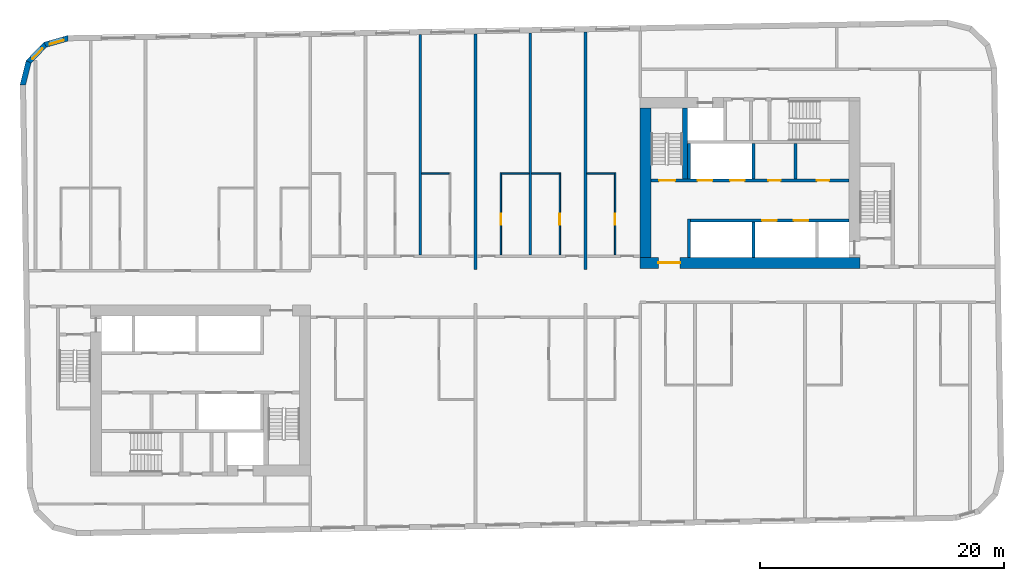
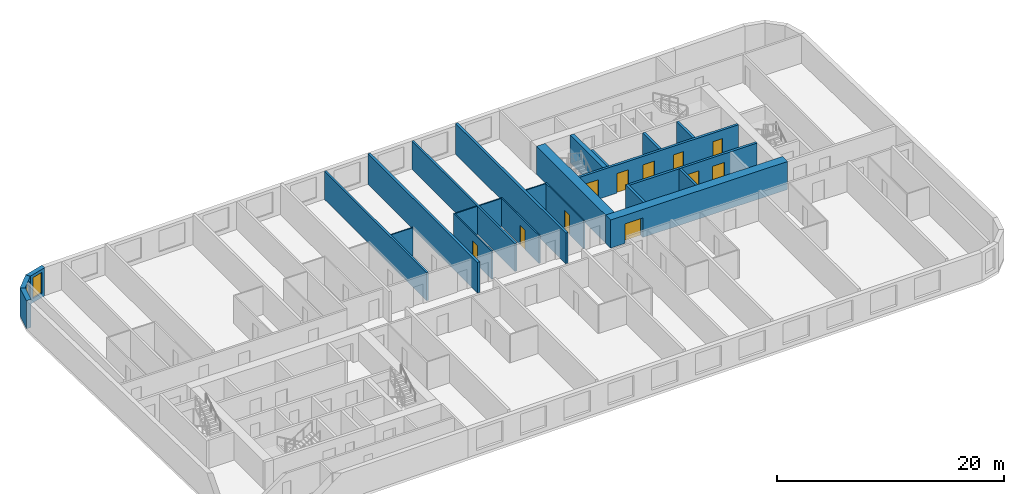
# One storey, part 5 of 11: 24 walls, 11 doors, 2 windows, 13 openings.
"""IFC4 building model written with IfcOpenShell, lengths in metres."""

from ifc_helpers import new_model, si_unit, direction, frame, frame_2d, origin, place, context, subcontext, project, spatial, polyline, rectangle, outline, extrude, material, layer, layer_set, type_object, element, fill, save


model = new_model("IFC4")

# Units and contexts
model_context = context("Model", 3, precision=1e-05, world=origin(), true_north=direction((0.0, 1.0)))
body_context = subcontext(model_context, "Body", "Model", "MODEL_VIEW")
ifc_project = project(units=[si_unit("LENGTHUNIT", "METRE"), si_unit("AREAUNIT", "SQUARE_METRE"), si_unit("VOLUMEUNIT", "CUBIC_METRE"), si_unit("PLANEANGLEUNIT", "RADIAN"), si_unit("MASSUNIT", "GRAM", prefix="KILO")], contexts=[model_context])

# Site, building, storey
site_placement = place(None, origin())
site = spatial("IfcSite", under=ifc_project, at=site_placement, CompositionType="ELEMENT")
building_placement = place(site_placement, origin())
building = spatial("IfcBuilding", under=site, at=building_placement, Name="Kajstack Hotel Tower", CompositionType="ELEMENT")
storey_placement = place(building_placement, frame((0.0, 0.0, 224.300048828125)))
storey = spatial("IfcBuildingStorey", under=building, at=storey_placement, Name="L54", CompositionType="ELEMENT", Elevation=224.300048828125)

# Wall, opening, door
ifc_material_1 = material(Name="Concrete C60/75", Category="concrete")
ifc_layer_1 = layer(ifc_material_1, 0.89990234375)
ifc_layer_set_1 = layer_set([ifc_layer_1], Name="Core wall 900")
wall_type_1 = type_object("IfcWallType", Name="Core wall 900", PredefinedType="SHEAR", material=ifc_layer_set_1)
wall_1_placement = place(storey_placement, frame((13.5, 1.949951171875, 0.0), z_axis=(0.0, 0.0, 1.0), x_axis=(1.0, 0.0, 0.0)))
wall_1 = element("IfcWall", 1, at=wall_1_placement, inside=storey, type_object=wall_type_1, Name="Core wall E RN", PredefinedType="SHEAR", context=body_context, shape_type="SweptSolid", body=[
    extrude(rectangle(XDim=18.0, YDim=0.89990234375, at=frame_2d((9.0, 0.0))), origin(), (0.0, 0.0, 1.0), 3.02001953125),
])
opening_1_placement = place(wall_1_placement, frame((1.47509765625, 0.0, 0.0)))
opening_1 = element("IfcOpeningElement", 2, at=opening_1_placement, cuts=wall_1, Name="Opening 54E07", PredefinedType="OPENING", context=body_context, shape_type="SweptSolid", body=[
    extrude(rectangle(XDim=1.800048828125, YDim=2.10009765625, at=frame_2d((0.89990234375, 1.050048828125))), frame((0.0, 0.4599609375, 0.0), z_axis=(0.0, -1.0, 0.0), x_axis=(1.0, 0.0, 0.0)), (0.0, 0.0, 1.0), 0.919921875),
])
ifc_material_2 = material(Name="Glazed steel frame, fire-rated glass", Category="steel")
door_type_1 = type_object("IfcDoorType", Name="Lobby double door 1800", OperationType="DOUBLE_DOOR_DOUBLE_SWING", PredefinedType="DOOR", material=ifc_material_2)
door_1_placement = place(opening_1_placement, origin())
door_1 = element("IfcDoor", 3, at=door_1_placement, inside=storey, type_object=door_type_1, Name="Door 54E07", OperationType="DOUBLE_DOOR_DOUBLE_SWING", OverallHeight=2.10009765625, OverallWidth=1.800048828125, PredefinedType="DOOR", context=body_context, shape_type="SweptSolid", body=[
    extrude(rectangle(XDim=1.800048828125, YDim=2.10009765625, at=frame_2d((0.89990234375, 1.050048828125))), frame((0.0, 0.02490234375, 0.0), z_axis=(0.0, -1.0, 0.0), x_axis=(1.0, 0.0, 0.0)), (0.0, 0.0, 1.0), 0.050048828125),
])
fill(opening_1, door_1)

# Walls
wall_2_placement = place(storey_placement, frame((13.949951171875, 2.39990234375, 0.0), z_axis=(0.0, 0.0, 1.0), x_axis=(0.0, 1.0, 0.0)))
element("IfcWall", 4, at=wall_2_placement, inside=storey, type_object=wall_type_1, Name="Core wall E RE", PredefinedType="SHEAR", context=body_context, shape_type="SweptSolid", body=[
    extrude(rectangle(XDim=12.2001953125, YDim=0.89990234375, at=frame_2d((6.10009765625, 0.0))), origin(), (0.0, 0.0, 1.0), 3.02001953125),
])
ifc_material_3 = material(Name="Twin-frame gypsum board on steel studs, mineral wool", Category="steel")
ifc_layer_2 = layer(ifc_material_3, 0.199951171875)
ifc_layer_set_2 = layer_set([ifc_layer_2], Name="Demising wall 200")
wall_type_2 = type_object("IfcWallType", Name="Demising wall 200", PredefinedType="PARTITIONING", material=ifc_layer_set_2)
wall_3_placement = place(storey_placement, frame((-4.5, 2.60009765625, 0.0), z_axis=(0.0, 0.0, 1.0), x_axis=(0.0, 1.0, 0.0)))
element("IfcWall", 5, at=wall_3_placement, inside=storey, type_object=wall_type_2, Name="G-wall-L54-017", PredefinedType="PARTITIONING", context=body_context, shape_type="SweptSolid", body=[
    extrude(rectangle(XDim=18.02197265625, YDim=0.199951171875, at=frame_2d((9.010986328125, 0.0))), origin(), (0.0, 0.0, 1.0), 3.02001953125),
])
wall_4_placement = place(storey_placement, frame((4.5, 2.60009765625, 0.0), z_axis=(0.0, 0.0, 1.0), x_axis=(0.0, 1.0, 0.0)))
element("IfcWall", 6, at=wall_4_placement, inside=storey, type_object=wall_type_2, Name="G-wall-L54-022", PredefinedType="PARTITIONING", context=body_context, shape_type="SweptSolid", body=[
    extrude(rectangle(XDim=18.178955078125, YDim=0.199951171875, at=frame_2d((9.08935546875, 0.0))), origin(), (0.0, 0.0, 1.0), 3.02001953125),
])

# Wall, opening, window
ifc_material_4 = material(Name="Terracotta-faced brick masonry", Category="masonry")
ifc_layer_3 = layer(ifc_material_4, 0.449951171875)
ifc_layer_set_3 = layer_set([ifc_layer_3], Name="EW-TERRA")
wall_type_3 = type_object("IfcWallType", Name="EW-TERRA", PredefinedType="SOLIDWALL", material=ifc_layer_set_3)
wall_5_placement = place(storey_placement, frame((-33.290283203125, 20.352294921875, 0.0), z_axis=(0.0, 0.0, 1.0), x_axis=(-0.961247584925, -0.275686562016, 0.0)))
wall_5 = element("IfcWall", 7, at=wall_5_placement, inside=storey, type_object=wall_type_3, Name="E-wall-L54-13-00", PredefinedType="SOLIDWALL", context=body_context, shape_type="SweptSolid", body=[
    extrude(outline(polyline([(0.0, -0.22509765625), (2.070556640625, -0.22509765625), (1.949951171875, 0.224853515625), (0.12060546875, 0.224853515625), (0.0, -0.22509765625)])), origin(), (0.0, 0.0, 1.0), 3.02001953125),
])
opening_2_placement = place(wall_5_placement, frame((0.435302734375, 0.0, 0.449951171875)))
opening_2 = element("IfcOpeningElement", 8, at=opening_2_placement, cuts=wall_5, Name="Opening W3", PredefinedType="OPENING", context=body_context, shape_type="SweptSolid", body=[
    extrude(rectangle(XDim=1.199951171875, YDim=2.25, at=frame_2d((0.60009765625, 1.125))), frame((0.0, 0.23486328125, 0.0), z_axis=(0.0, -1.0, 0.0), x_axis=(1.0, 0.0, 0.0)), (0.0, 0.0, 1.0), 0.469970703125),
])
ifc_material_5 = material(Name="Timber-aluminium window, triple glazed", Category="wood")
window_type = type_object("IfcWindowType", Name="WG3", PartitioningType="SINGLE_PANEL", PredefinedType="WINDOW", material=ifc_material_5)
window_1_placement = place(opening_2_placement, origin())
window_1 = element("IfcWindow", 9, at=window_1_placement, inside=storey, type_object=window_type, Name="Window W3 L54-13", OverallHeight=2.25, OverallWidth=1.199951171875, PartitioningType="SINGLE_PANEL", PredefinedType="WINDOW", context=body_context, shape_type="SweptSolid", body=[
    extrude(rectangle(XDim=1.199951171875, YDim=2.25, at=frame_2d((0.60009765625, 1.125))), frame((0.0, 0.090087890625, 0.0), z_axis=(0.0, -1.0, 0.0), x_axis=(1.0, 0.0, 0.0)), (0.0, 0.0, 1.0), 0.06005859375),
])
fill(opening_2, window_1)

wall_6_placement = place(storey_placement, frame((-35.1806640625, 19.841552734375, 0.0), z_axis=(0.0, 0.0, 1.0), x_axis=(-0.694678672846, -0.719320193998, 0.0)))
wall_6 = element("IfcWall", 10, at=wall_6_placement, inside=storey, type_object=wall_type_3, Name="E-wall-L54-14-00", PredefinedType="SOLIDWALL", context=body_context, shape_type="SweptSolid", body=[
    extrude(outline(polyline([(0.0, -0.22509765625), (2.07080078125, -0.22509765625), (1.9501953125, 0.224853515625), (0.12060546875, 0.224853515625), (0.0, -0.22509765625)])), origin(), (0.0, 0.0, 1.0), 3.02001953125),
])
opening_3_placement = place(wall_6_placement, frame((0.435302734375, 0.0, 0.449951171875)))
opening_3 = element("IfcOpeningElement", 11, at=opening_3_placement, cuts=wall_6, Name="Opening W3", PredefinedType="OPENING", context=body_context, shape_type="SweptSolid", body=[
    extrude(rectangle(XDim=1.199951171875, YDim=2.25, at=frame_2d((0.60009765625, 1.125))), frame((0.0, 0.23486328125, 0.0), z_axis=(0.0, -1.0, 0.0), x_axis=(1.0, 0.0, 0.0)), (0.0, 0.0, 1.0), 0.469970703125),
])
window_2_placement = place(opening_3_placement, origin())
window_2 = element("IfcWindow", 12, at=window_2_placement, inside=storey, type_object=window_type, Name="Window W3 L54-14", OverallHeight=2.25, OverallWidth=1.199951171875, PartitioningType="SINGLE_PANEL", PredefinedType="WINDOW", context=body_context, shape_type="SweptSolid", body=[
    extrude(rectangle(XDim=1.199951171875, YDim=2.25, at=frame_2d((0.60009765625, 1.125))), frame((0.0, 0.090087890625, 0.0), z_axis=(0.0, -1.0, 0.0), x_axis=(1.0, 0.0, 0.0)), (0.0, 0.0, 1.0), 0.06005859375),
])
fill(opening_3, window_2)

# Walls
wall_7_placement = place(storey_placement, frame((-36.562744140625, 18.453857421875, 0.0), z_axis=(0.0, 0.0, 1.0), x_axis=(-0.241869623482, -0.970308757683, 0.0)))
element("IfcWall", 13, at=wall_7_placement, inside=storey, type_object=wall_type_3, Name="E-wall-L54-15-00", PredefinedType="SOLIDWALL", context=body_context, shape_type="SweptSolid", body=[
    extrude(outline(polyline([(-0.000244140625, -0.224853515625), (2.0703125, -0.22509765625), (1.94970703125, 0.224853515625), (0.120361328125, 0.22509765625), (-0.000244140625, -0.224853515625)])), origin(), (0.0, 0.0, 1.0), 3.02001953125),
])
ifc_material_6 = material(Name="Gypsum board and tiled backer on steel studs", Category="steel")
ifc_layer_4 = layer(ifc_material_6, 0.125)
ifc_layer_set_4 = layer_set([ifc_layer_4], Name="En-suite wall 125")
wall_type_4 = type_object("IfcWallType", Name="En-suite wall 125", PredefinedType="PARTITIONING", material=ifc_layer_set_4)
wall_8_placement = place(storey_placement, frame((-4.39990234375, 9.261962890625, 0.0), z_axis=(0.0, 0.0, 1.0), x_axis=(1.0, 0.0, 0.0)))
element("IfcWall", 14, at=wall_8_placement, inside=storey, type_object=wall_type_4, Name="G-wall-L54-021", PredefinedType="PARTITIONING", context=body_context, shape_type="SweptSolid", body=[
    extrude(rectangle(XDim=2.25, YDim=0.125, at=frame_2d((1.125, 0.0))), origin(), (0.0, 0.0, 1.0), 3.02001953125),
])

# Wall, opening, door
wall_9_placement = place(storey_placement, frame((2.0869140625, 2.60009765625, 0.0), z_axis=(0.0, 0.0, 1.0), x_axis=(0.0, 1.0, 0.0)))
wall_9 = element("IfcWall", 15, at=wall_9_placement, inside=storey, type_object=wall_type_4, Name="G-wall-L54-023", PredefinedType="PARTITIONING", context=body_context, shape_type="SweptSolid", body=[
    extrude(rectangle(XDim=6.724853515625, YDim=0.125, at=frame_2d((3.3623046875, 0.0))), origin(), (0.0, 0.0, 1.0), 3.02001953125),
])
opening_4_placement = place(wall_9_placement, frame((2.449951171875, 0.0, 0.0)))
opening_4 = element("IfcOpeningElement", 16, at=opening_4_placement, cuts=wall_9, Name="Opening 54016", PredefinedType="OPENING", context=body_context, shape_type="SweptSolid", body=[
    extrude(rectangle(XDim=0.89990234375, YDim=2.10009765625, at=frame_2d((0.449951171875, 1.050048828125))), frame((0.0, 0.072509765625, 0.0), z_axis=(0.0, -1.0, 0.0), x_axis=(1.0, 0.0, 0.0)), (0.0, 0.0, 1.0), 0.14501953125),
])
ifc_material_7 = material(Name="Painted timber door leaf", Category="wood")
door_type_2 = type_object("IfcDoorType", Name="Room door 900", OperationType="SINGLE_SWING_LEFT", PredefinedType="DOOR", material=ifc_material_7)
door_2_placement = place(opening_4_placement, origin())
door_2 = element("IfcDoor", 17, at=door_2_placement, inside=storey, type_object=door_type_2, Name="G-door-L54-16", OperationType="SINGLE_SWING_RIGHT", OverallHeight=2.10009765625, OverallWidth=0.89990234375, PredefinedType="DOOR", context=body_context, shape_type="SweptSolid", body=[
    extrude(rectangle(XDim=0.89990234375, YDim=2.10009765625, at=frame_2d((0.449951171875, 1.050048828125))), frame((0.0, 0.02490234375, 0.0), z_axis=(0.0, -1.0, 0.0), x_axis=(1.0, 0.0, 0.0)), (0.0, 0.0, 1.0), 0.050048828125),
])
fill(opening_4, door_2)

# Wall
wall_10_placement = place(storey_placement, frame((2.14990234375, 9.261962890625, 0.0), z_axis=(0.0, 0.0, 1.0), x_axis=(1.0, 0.0, 0.0)))
element("IfcWall", 18, at=wall_10_placement, inside=storey, type_object=wall_type_4, Name="G-wall-L54-024", PredefinedType="PARTITIONING", context=body_context, shape_type="SweptSolid", body=[
    extrude(rectangle(XDim=2.25, YDim=0.125, at=frame_2d((1.125, 0.0))), origin(), (0.0, 0.0, 1.0), 3.02001953125),
])

# Wall, opening, door
wall_11_placement = place(storey_placement, frame((6.912109375, 2.60009765625, 0.0), z_axis=(0.0, 0.0, 1.0), x_axis=(0.0, 1.0, 0.0)))
wall_11 = element("IfcWall", 19, at=wall_11_placement, inside=storey, type_object=wall_type_4, Name="G-wall-L54-025", PredefinedType="PARTITIONING", context=body_context, shape_type="SweptSolid", body=[
    extrude(rectangle(XDim=6.724853515625, YDim=0.125, at=frame_2d((3.3623046875, 0.0))), origin(), (0.0, 0.0, 1.0), 3.02001953125),
])
opening_5_placement = place(wall_11_placement, frame((2.449951171875, 0.0, 0.0)))
opening_5 = element("IfcOpeningElement", 20, at=opening_5_placement, cuts=wall_11, Name="Opening 54018", PredefinedType="OPENING", context=body_context, shape_type="SweptSolid", body=[
    extrude(rectangle(XDim=0.89990234375, YDim=2.10009765625, at=frame_2d((0.449951171875, 1.050048828125))), frame((0.0, 0.072509765625, 0.0), z_axis=(0.0, -1.0, 0.0), x_axis=(1.0, 0.0, 0.0)), (0.0, 0.0, 1.0), 0.14501953125),
])
door_3_placement = place(opening_5_placement, origin())
door_3 = element("IfcDoor", 21, at=door_3_placement, inside=storey, type_object=door_type_2, Name="G-door-L54-18", OperationType="SINGLE_SWING_RIGHT", OverallHeight=2.10009765625, OverallWidth=0.89990234375, PredefinedType="DOOR", context=body_context, shape_type="SweptSolid", body=[
    extrude(rectangle(XDim=0.89990234375, YDim=2.10009765625, at=frame_2d((0.449951171875, 1.050048828125))), frame((0.0, 0.02490234375, 0.0), z_axis=(0.0, -1.0, 0.0), x_axis=(1.0, 0.0, 0.0)), (0.0, 0.0, 1.0), 0.050048828125),
])
fill(opening_5, door_3)

# Wall
wall_12_placement = place(storey_placement, frame((4.60009765625, 9.261962890625, 0.0), z_axis=(0.0, 0.0, 1.0), x_axis=(1.0, 0.0, 0.0)))
element("IfcWall", 22, at=wall_12_placement, inside=storey, type_object=wall_type_4, Name="G-wall-L54-026", PredefinedType="PARTITIONING", context=body_context, shape_type="SweptSolid", body=[
    extrude(rectangle(XDim=2.25, YDim=0.125, at=frame_2d((1.125, 0.0))), origin(), (0.0, 0.0, 1.0), 3.02001953125),
])

# Wall, opening, door
wall_13_placement = place(storey_placement, frame((11.43798828125, 2.60009765625, 0.0), z_axis=(0.0, 0.0, 1.0), x_axis=(0.0, 1.0, 0.0)))
wall_13 = element("IfcWall", 23, at=wall_13_placement, inside=storey, type_object=wall_type_4, Name="G-wall-L54-027", PredefinedType="PARTITIONING", context=body_context, shape_type="SweptSolid", body=[
    extrude(rectangle(XDim=6.724853515625, YDim=0.125, at=frame_2d((3.3623046875, 0.0))), origin(), (0.0, 0.0, 1.0), 3.02001953125),
])
opening_6_placement = place(wall_13_placement, frame((2.449951171875, 0.0, 0.0)))
opening_6 = element("IfcOpeningElement", 24, at=opening_6_placement, cuts=wall_13, Name="Opening 54020", PredefinedType="OPENING", context=body_context, shape_type="SweptSolid", body=[
    extrude(rectangle(XDim=0.89990234375, YDim=2.10009765625, at=frame_2d((0.449951171875, 1.050048828125))), frame((0.0, 0.072509765625, 0.0), z_axis=(0.0, -1.0, 0.0), x_axis=(1.0, 0.0, 0.0)), (0.0, 0.0, 1.0), 0.14501953125),
])
door_4_placement = place(opening_6_placement, origin())
door_4 = element("IfcDoor", 25, at=door_4_placement, inside=storey, type_object=door_type_2, Name="G-door-L54-20", OperationType="SINGLE_SWING_LEFT", OverallHeight=2.10009765625, OverallWidth=0.89990234375, PredefinedType="DOOR", context=body_context, shape_type="SweptSolid", body=[
    extrude(rectangle(XDim=0.89990234375, YDim=2.10009765625, at=frame_2d((0.449951171875, 1.050048828125))), frame((0.0, 0.02490234375, 0.0), z_axis=(0.0, -1.0, 0.0), x_axis=(1.0, 0.0, 0.0)), (0.0, 0.0, 1.0), 0.050048828125),
])
fill(opening_6, door_4)

# Walls
wall_14_placement = place(storey_placement, frame((9.125, 9.261962890625, 0.0), z_axis=(0.0, 0.0, 1.0), x_axis=(1.0, 0.0, 0.0)))
element("IfcWall", 26, at=wall_14_placement, inside=storey, type_object=wall_type_4, Name="G-wall-L54-028", PredefinedType="PARTITIONING", context=body_context, shape_type="SweptSolid", body=[
    extrude(rectangle(XDim=2.25, YDim=0.125, at=frame_2d((1.125, 0.0))), origin(), (0.0, 0.0, 1.0), 3.02001953125),
])
ifc_material_8 = material(Name="Concrete C50/60", Category="concrete")
ifc_layer_5 = layer(ifc_material_8, 0.300048828125)
ifc_layer_set_5 = layer_set([ifc_layer_5], Name="Hoistway divider wall 300")
wall_type_5 = type_object("IfcWallType", Name="Hoistway divider wall 300", PredefinedType="SHEAR", material=ifc_layer_set_5)
wall_15_placement = place(storey_placement, frame((22.77490234375, 2.39990234375, 0.0), z_axis=(0.0, 0.0, 1.0), x_axis=(0.0, 1.0, 0.0)))
element("IfcWall", 27, at=wall_15_placement, inside=storey, type_object=wall_type_5, Name="Core wall E AP2", PredefinedType="SHEAR", context=body_context, shape_type="SweptSolid", body=[
    extrude(rectangle(XDim=2.900146484375, YDim=0.25, at=frame_2d((1.4501953125, 0.0))), origin(), (0.0, 0.0, 1.0), 3.02001953125),
])
wall_16_placement = place(storey_placement, frame((22.77490234375, 8.800048828125, 0.0), z_axis=(0.0, 0.0, 1.0), x_axis=(0.0, 1.0, 0.0)))
element("IfcWall", 28, at=wall_16_placement, inside=storey, type_object=wall_type_5, Name="Core wall E BP2", PredefinedType="SHEAR", context=body_context, shape_type="SweptSolid", body=[
    extrude(rectangle(XDim=2.89990234375, YDim=0.25, at=frame_2d((1.449951171875, 0.0))), origin(), (0.0, 0.0, 1.0), 3.02001953125),
])
ifc_material_9 = material(Name="Concrete C45/55", Category="concrete")
ifc_layer_6 = layer(ifc_material_9, 0.25)
ifc_layer_set_6 = layer_set([ifc_layer_6], Name="RC cross wall 250 C45/55")
wall_type_6 = type_object("IfcWallType", Name="RC cross wall 250 C45/55", PredefinedType="SHEAR", material=ifc_layer_set_6)
wall_17_placement = place(storey_placement, frame((0.0, 1.39990234375, 0.0), z_axis=(0.0, 0.0, 1.0), x_axis=(0.0, 1.0, 0.0)))
element("IfcWall", 29, at=wall_17_placement, inside=storey, type_object=wall_type_6, Name="S-wall-L54-07", PredefinedType="SHEAR", context=body_context, shape_type="SweptSolid", body=[
    extrude(rectangle(XDim=19.28857421875, YDim=0.25, at=frame_2d((9.644287109375, 0.0))), origin(), (0.0, 0.0, 1.0), 3.300048828125),
])
wall_18_placement = place(storey_placement, frame((9.0, 1.39990234375, 0.0), z_axis=(0.0, 0.0, 1.0), x_axis=(0.0, 1.0, 0.0)))
element("IfcWall", 30, at=wall_18_placement, inside=storey, type_object=wall_type_6, Name="S-wall-L54-09", PredefinedType="SHEAR", context=body_context, shape_type="SweptSolid", body=[
    extrude(rectangle(XDim=19.44580078125, YDim=0.25, at=frame_2d((9.722900390625, 0.0))), origin(), (0.0, 0.0, 1.0), 3.300048828125),
])
ifc_material_10 = material(Name="Concrete block masonry", Category="masonry")
ifc_layer_7 = layer(ifc_material_10, 0.25)
ifc_layer_set_7 = layer_set([ifc_layer_7], Name="Riser partition 250")
wall_type_7 = type_object("IfcWallType", Name="Riser partition 250", PredefinedType="PARTITIONING", material=ifc_layer_set_7)
wall_19_placement = place(storey_placement, frame((26.199951171875, 8.800048828125, 0.0), z_axis=(0.0, 0.0, 1.0), x_axis=(0.0, 1.0, 0.0)))
element("IfcWall", 31, at=wall_19_placement, inside=storey, type_object=wall_type_7, Name="Partition E BF0", PredefinedType="PARTITIONING", context=body_context, shape_type="SweptSolid", body=[
    extrude(rectangle(XDim=2.89990234375, YDim=0.25, at=frame_2d((1.449951171875, 0.0))), origin(), (0.0, 0.0, 1.0), 3.02001953125),
])

# Wall, openings, doors
ifc_layer_8 = layer(ifc_material_8, 0.25)
ifc_layer_set_8 = layer_set([ifc_layer_8], Name="Shaft wall 250")
wall_type_8 = type_object("IfcWallType", Name="Shaft wall 250", PredefinedType="SHEAR", material=ifc_layer_set_8)
wall_20_placement = place(storey_placement, frame((17.60009765625, 5.425048828125, 0.0), z_axis=(0.0, 0.0, 1.0), x_axis=(1.0, 0.0, 0.0)))
wall_20 = element("IfcWall", 32, at=wall_20_placement, inside=storey, type_object=wall_type_8, Name="Core wall E FA", PredefinedType="SHEAR", context=body_context, shape_type="SweptSolid", body=[
    extrude(rectangle(XDim=13.0, YDim=0.25, at=frame_2d((6.5, 0.0))), origin(), (0.0, 0.0, 1.0), 3.02001953125),
])
opening_7_placement = place(wall_20_placement, frame((8.47509765625, 0.0, 0.0)))
opening_7 = element("IfcOpeningElement", 33, at=opening_7_placement, cuts=wall_20, Name="Opening LD-MR7", PredefinedType="OPENING", context=body_context, shape_type="SweptSolid", body=[
    extrude(rectangle(XDim=1.199951171875, YDim=2.10009765625, at=frame_2d((0.60009765625, 1.050048828125))), frame((0.0, 0.135009765625, 0.0), z_axis=(0.0, -1.0, 0.0), x_axis=(1.0, 0.0, 0.0)), (0.0, 0.0, 1.0), 0.27001953125),
])
opening_8_placement = place(wall_20_placement, frame((5.875, 0.0, 0.0)))
opening_8 = element("IfcOpeningElement", 34, at=opening_8_placement, cuts=wall_20, Name="Opening LD-MR8", PredefinedType="OPENING", context=body_context, shape_type="SweptSolid", body=[
    extrude(rectangle(XDim=1.199951171875, YDim=2.10009765625, at=frame_2d((0.60009765625, 1.050048828125))), frame((0.0, 0.135009765625, 0.0), z_axis=(0.0, -1.0, 0.0), x_axis=(1.0, 0.0, 0.0)), (0.0, 0.0, 1.0), 0.27001953125),
])
ifc_material_11 = material(Name="Stainless steel", Category="steel")
door_type_3 = type_object("IfcDoorType", Name="Lift landing door 1200", OperationType="SLIDING_TO_LEFT", PredefinedType="DOOR", material=ifc_material_11)
door_5_placement = place(opening_7_placement, origin())
door_5 = element("IfcDoor", 35, at=door_5_placement, inside=storey, type_object=door_type_3, Name="Landing door MR7", OperationType="SLIDING_TO_LEFT", OverallHeight=2.10009765625, OverallWidth=1.199951171875, PredefinedType="DOOR", context=body_context, shape_type="SweptSolid", body=[
    extrude(rectangle(XDim=1.199951171875, YDim=2.10009765625, at=frame_2d((0.60009765625, 1.050048828125))), frame((0.0, 0.02490234375, 0.0), z_axis=(0.0, -1.0, 0.0), x_axis=(1.0, 0.0, 0.0)), (0.0, 0.0, 1.0), 0.050048828125),
])
fill(opening_7, door_5)
door_6_placement = place(opening_8_placement, origin())
door_6 = element("IfcDoor", 36, at=door_6_placement, inside=storey, type_object=door_type_3, Name="Landing door MR8", OperationType="SLIDING_TO_RIGHT", OverallHeight=2.10009765625, OverallWidth=1.199951171875, PredefinedType="DOOR", context=body_context, shape_type="SweptSolid", body=[
    extrude(rectangle(XDim=1.199951171875, YDim=2.10009765625, at=frame_2d((0.60009765625, 1.050048828125))), frame((0.0, 0.02490234375, 0.0), z_axis=(0.0, -1.0, 0.0), x_axis=(1.0, 0.0, 0.0)), (0.0, 0.0, 1.0), 0.050048828125),
])
fill(opening_8, door_6)

# Wall
wall_21_placement = place(storey_placement, frame((17.47509765625, 2.39990234375, 0.0), z_axis=(0.0, 0.0, 1.0), x_axis=(0.0, 1.0, 0.0)))
element("IfcWall", 37, at=wall_21_placement, inside=storey, type_object=wall_type_8, Name="Core wall E AE", PredefinedType="SHEAR", context=body_context, shape_type="SweptSolid", body=[
    extrude(rectangle(XDim=3.150146484375, YDim=0.25, at=frame_2d((1.5751953125, 0.0))), origin(), (0.0, 0.0, 1.0), 3.02001953125),
])

# Wall, openings, doors
wall_22_placement = place(storey_placement, frame((14.39990234375, 8.675048828125, 0.0), z_axis=(0.0, 0.0, 1.0), x_axis=(1.0, 0.0, 0.0)))
wall_22 = element("IfcWall", 38, at=wall_22_placement, inside=storey, type_object=wall_type_8, Name="Core wall E FB", PredefinedType="SHEAR", context=body_context, shape_type="SweptSolid", body=[
    extrude(rectangle(XDim=16.2001953125, YDim=0.25, at=frame_2d((8.10009765625, 0.0))), origin(), (0.0, 0.0, 1.0), 3.02001953125),
])
opening_9_placement = place(wall_22_placement, frame((6.449951171875, 0.0, 0.0)))
opening_9 = element("IfcOpeningElement", 39, at=opening_9_placement, cuts=wall_22, Name="Opening LD-MR5", PredefinedType="OPENING", context=body_context, shape_type="SweptSolid", body=[
    extrude(rectangle(XDim=1.199951171875, YDim=2.10009765625, at=frame_2d((0.60009765625, 1.050048828125))), frame((0.0, 0.135009765625, 0.0), z_axis=(0.0, -1.0, 0.0), x_axis=(1.0, 0.0, 0.0)), (0.0, 0.0, 1.0), 0.27001953125),
])
opening_10_placement = place(wall_22_placement, frame((3.800048828125, 0.0, 0.0)))
opening_10 = element("IfcOpeningElement", 40, at=opening_10_placement, cuts=wall_22, Name="Opening LD-MR6", PredefinedType="OPENING", context=body_context, shape_type="SweptSolid", body=[
    extrude(rectangle(XDim=1.199951171875, YDim=2.10009765625, at=frame_2d((0.60009765625, 1.050048828125))), frame((0.0, 0.135009765625, 0.0), z_axis=(0.0, -1.0, 0.0), x_axis=(1.0, 0.0, 0.0)), (0.0, 0.0, 1.0), 0.27001953125),
])
opening_11_placement = place(wall_22_placement, frame((0.64990234375, 0.0, 0.0)))
opening_11 = element("IfcOpeningElement", 41, at=opening_11_placement, cuts=wall_22, Name="Opening 54E11", PredefinedType="OPENING", context=body_context, shape_type="SweptSolid", body=[
    extrude(rectangle(XDim=1.300048828125, YDim=2.10009765625, at=frame_2d((0.64990234375, 1.050048828125))), frame((0.0, 0.135009765625, 0.0), z_axis=(0.0, -1.0, 0.0), x_axis=(1.0, 0.0, 0.0)), (0.0, 0.0, 1.0), 0.27001953125),
])
opening_12_placement = place(wall_22_placement, frame((13.5625, 0.0, 0.0)))
opening_12 = element("IfcOpeningElement", 42, at=opening_12_placement, cuts=wall_22, Name="Opening 54E15", PredefinedType="OPENING", context=body_context, shape_type="SweptSolid", body=[
    extrude(rectangle(XDim=1.0, YDim=2.10009765625, at=frame_2d((0.5, 1.050048828125))), frame((0.0, 0.135009765625, 0.0), z_axis=(0.0, -1.0, 0.0), x_axis=(1.0, 0.0, 0.0)), (0.0, 0.0, 1.0), 0.27001953125),
])
opening_13_placement = place(wall_22_placement, frame((9.58740234375, 0.0, 0.0)))
opening_13 = element("IfcOpeningElement", 43, at=opening_13_placement, cuts=wall_22, Name="Opening 54E16", PredefinedType="OPENING", context=body_context, shape_type="SweptSolid", body=[
    extrude(rectangle(XDim=1.0, YDim=2.10009765625, at=frame_2d((0.5, 1.050048828125))), frame((0.0, 0.135009765625, 0.0), z_axis=(0.0, -1.0, 0.0), x_axis=(1.0, 0.0, 0.0)), (0.0, 0.0, 1.0), 0.27001953125),
])
door_7_placement = place(opening_9_placement, origin())
door_7 = element("IfcDoor", 44, at=door_7_placement, inside=storey, type_object=door_type_3, Name="Landing door MR5", OperationType="SLIDING_TO_LEFT", OverallHeight=2.10009765625, OverallWidth=1.199951171875, PredefinedType="DOOR", context=body_context, shape_type="SweptSolid", body=[
    extrude(rectangle(XDim=1.199951171875, YDim=2.10009765625, at=frame_2d((0.60009765625, 1.050048828125))), frame((0.0, 0.02490234375, 0.0), z_axis=(0.0, -1.0, 0.0), x_axis=(1.0, 0.0, 0.0)), (0.0, 0.0, 1.0), 0.050048828125),
])
fill(opening_9, door_7)
door_8_placement = place(opening_10_placement, origin())
door_8 = element("IfcDoor", 45, at=door_8_placement, inside=storey, type_object=door_type_3, Name="Landing door MR6", OperationType="SLIDING_TO_RIGHT", OverallHeight=2.10009765625, OverallWidth=1.199951171875, PredefinedType="DOOR", context=body_context, shape_type="SweptSolid", body=[
    extrude(rectangle(XDim=1.199951171875, YDim=2.10009765625, at=frame_2d((0.60009765625, 1.050048828125))), frame((0.0, 0.02490234375, 0.0), z_axis=(0.0, -1.0, 0.0), x_axis=(1.0, 0.0, 0.0)), (0.0, 0.0, 1.0), 0.050048828125),
])
fill(opening_10, door_8)
ifc_material_12 = material(Name="Timber leaf, fire-rated", Category="wood")
door_type_4 = type_object("IfcDoorType", Name="Service room door 1000", OperationType="SINGLE_SWING_LEFT", PredefinedType="DOOR", material=ifc_material_12)
door_9_placement = place(opening_12_placement, origin())
door_9 = element("IfcDoor", 46, at=door_9_placement, inside=storey, type_object=door_type_4, Name="Door 54E15", OperationType="SINGLE_SWING_LEFT", OverallHeight=2.10009765625, OverallWidth=1.0, PredefinedType="DOOR", context=body_context, shape_type="SweptSolid", body=[
    extrude(rectangle(XDim=1.0, YDim=2.10009765625, at=frame_2d((0.5, 1.050048828125))), frame((0.0, 0.02490234375, 0.0), z_axis=(0.0, -1.0, 0.0), x_axis=(1.0, 0.0, 0.0)), (0.0, 0.0, 1.0), 0.050048828125),
])
fill(opening_12, door_9)
door_10_placement = place(opening_13_placement, origin())
door_10 = element("IfcDoor", 47, at=door_10_placement, inside=storey, type_object=door_type_4, Name="Door 54E16", OperationType="SINGLE_SWING_LEFT", OverallHeight=2.10009765625, OverallWidth=1.0, PredefinedType="DOOR", context=body_context, shape_type="SweptSolid", body=[
    extrude(rectangle(XDim=1.0, YDim=2.10009765625, at=frame_2d((0.5, 1.050048828125))), frame((0.0, 0.02490234375, 0.0), z_axis=(0.0, -1.0, 0.0), x_axis=(1.0, 0.0, 0.0)), (0.0, 0.0, 1.0), 0.050048828125),
])
fill(opening_13, door_10)
ifc_material_13 = material(Name="Steel leaf, fire-rated", Category="steel")
door_type_5 = type_object("IfcDoorType", Name="Stair door 1300", OperationType="SINGLE_SWING_LEFT", PredefinedType="DOOR", material=ifc_material_13)
door_11_placement = place(opening_11_placement, origin())
door_11 = element("IfcDoor", 48, at=door_11_placement, inside=storey, type_object=door_type_5, Name="Door 54E11", OperationType="SINGLE_SWING_LEFT", OverallHeight=2.10009765625, OverallWidth=1.300048828125, PredefinedType="DOOR", context=body_context, shape_type="SweptSolid", body=[
    extrude(rectangle(XDim=1.300048828125, YDim=2.10009765625, at=frame_2d((0.64990234375, 1.050048828125))), frame((0.0, 0.02490234375, 0.0), z_axis=(0.0, -1.0, 0.0), x_axis=(1.0, 0.0, 0.0)), (0.0, 0.0, 1.0), 0.050048828125),
])
fill(opening_11, door_11)

# Walls
wall_23_placement = place(storey_placement, frame((17.47509765625, 8.800048828125, 0.0), z_axis=(0.0, 0.0, 1.0), x_axis=(0.0, 1.0, 0.0)))
element("IfcWall", 49, at=wall_23_placement, inside=storey, type_object=wall_type_8, Name="Core wall E BE", PredefinedType="SHEAR", context=body_context, shape_type="SweptSolid", body=[
    extrude(rectangle(XDim=2.89990234375, YDim=0.25, at=frame_2d((1.449951171875, 0.0))), origin(), (0.0, 0.0, 1.0), 3.02001953125),
])
ifc_layer_9 = layer(ifc_material_8, 0.39990234375)
ifc_layer_set_9 = layer_set([ifc_layer_9], Name="Stair wall 400")
wall_type_9 = type_object("IfcWallType", Name="Stair wall 400", PredefinedType="SHEAR", material=ifc_layer_set_9)
wall_24_placement = place(storey_placement, frame((17.14990234375, 8.800048828125, 0.0), z_axis=(0.0, 0.0, 1.0), x_axis=(0.0, 1.0, 0.0)))
element("IfcWall", 50, at=wall_24_placement, inside=storey, type_object=wall_type_9, Name="Core wall E WW2", PredefinedType="SHEAR", context=body_context, shape_type="SweptSolid", body=[
    extrude(rectangle(XDim=5.800048828125, YDim=0.39990234375, at=frame_2d((2.89990234375, 0.0))), origin(), (0.0, 0.0, 1.0), 3.02001953125),
])

save(model, "model.ifc")
